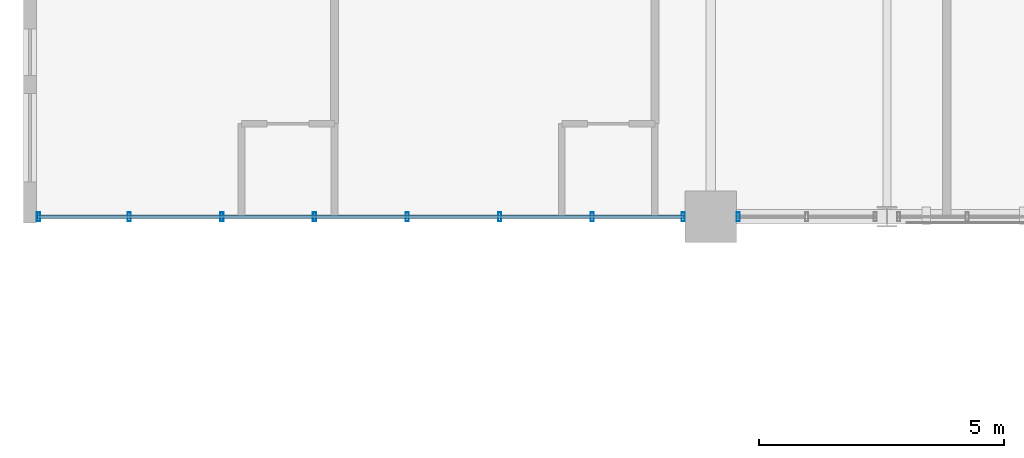
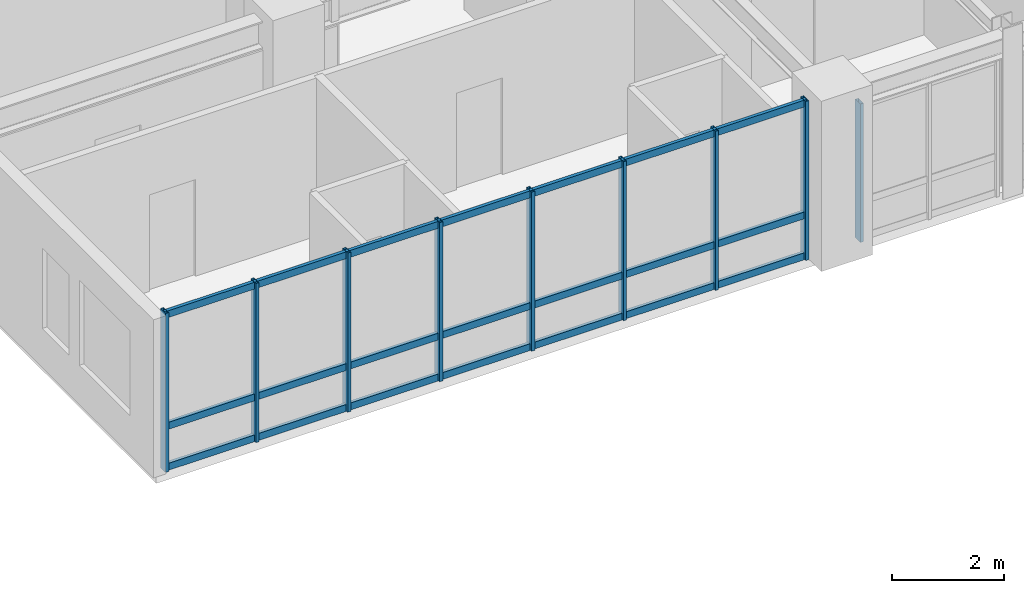
# One storey, part 3 of 17: 12 members, 2 elements without a shape of their own.
"""IFC4 building model written with IfcOpenShell, lengths in metres."""

from ifc_helpers import new_model, si_unit, direction, frame, origin, origin_2d, place, context, subcontext, project, spatial, hollow_rectangle, extrude, source, transform, mapped, material, layer, layer_set, material_profile, profile_set, type_object, element, aggregate, save


model = new_model("IFC4")

# Units and contexts
model_context = context("Model", 3, precision=1e-05, world=origin(), true_north=direction((0.0, 1.0)))
body_context = subcontext(model_context, "Body", "Model", "MODEL_VIEW")
ifc_project = project(units=[si_unit("LENGTHUNIT", "METRE"), si_unit("AREAUNIT", "SQUARE_METRE"), si_unit("VOLUMEUNIT", "CUBIC_METRE"), si_unit("PLANEANGLEUNIT", "RADIAN"), si_unit("MASSUNIT", "GRAM", prefix="KILO")], contexts=[model_context])

# Site, building, storey
site_placement = place(None, origin())
site = spatial("IfcSite", under=ifc_project, at=site_placement, CompositionType="ELEMENT")
building_placement = place(site_placement, origin())
building = spatial("IfcBuilding", under=site, at=building_placement, Name="Kaliganga Portal Commons", CompositionType="ELEMENT")
storey_placement = place(building_placement, frame((0.0, 0.0, 143.89990234375)))
storey = spatial("IfcBuildingStorey", under=building, at=storey_placement, Name="L36", CompositionType="ELEMENT", Elevation=143.89990234375)

# Curtain wall, member
ifc_material_1 = material(Name="Anodized Aluminium and Laminated Low-E Glass", Category="aluminium")
ifc_layer = layer(ifc_material_1, 0.2099609375)
ifc_layer_set = layer_set([ifc_layer], Name="Anodized Aluminium and Laminated Low-E Glass")
curtain_wall_type = type_object("IfcCurtainWallType", Name="CW-SYS-03", PredefinedType="NOTDEFINED", material=ifc_layer_set)
curtain_wall_1_placement = place(storey_placement, origin())
curtain_wall_1 = element("IfcCurtainWall", 1, at=curtain_wall_1_placement, inside=storey, type_object=curtain_wall_type, Name="CW 03 L36 P1E04S2", PredefinedType="NOTDEFINED")
ifc_material_2 = material(Name="Dark Bronze Anodized Aluminium", Category="aluminium")
ifc_material_profile_1 = material_profile(ifc_material_2, hollow_rectangle(XDim=0.06494140625, YDim=0.179931640625, WallThickness=0.00390625, at=origin_2d()), Name="ALU MULL 65x180x4")
ifc_profile_set_1 = profile_set([ifc_material_profile_1], Name="Dark Bronze Anodized Aluminium")
member_type_1 = type_object("IfcMemberType", Name="CW-MUL-180", PredefinedType="MULLION", material=ifc_profile_set_1)
shared_shape_1 = source(origin(), body_context, "Body", "SweptSolid", [
    extrude(hollow_rectangle(XDim=0.06494140625, YDim=0.179931640625, WallThickness=0.00390625, at=origin_2d()), origin(), (0.0, 0.0, 1.0), 3.010009765625),
])
member_1_placement = place(storey_placement, frame((14.9609375, 21.60009765625, 0.0), z_axis=(0.0, 0.0, 1.0), x_axis=(1.0, 0.0, 0.0)))
member_1 = element("IfcMember", 2, at=member_1_placement, type_object=member_type_1, Name="CW:03:L36:P1E04S2 Mullion 00", PredefinedType="MULLION", context=body_context, shape_type="MappedRepresentation", body=[
    mapped(shared_shape_1, transform((0.0, 0.0, 0.0), x_axis=(1.0, 0.0, 0.0), y_axis=(0.0, 1.0, 0.0), z_axis=(0.0, 0.0, 1.0), scale=1.0)),
])
aggregate(curtain_wall_1, [member_1])

# Curtain wall, members
curtain_wall_2_placement = place(storey_placement, origin())
curtain_wall_2 = element("IfcCurtainWall", 3, at=curtain_wall_2_placement, inside=storey, type_object=curtain_wall_type, Name="CW 03 L36 P1E04S1", PredefinedType="NOTDEFINED")
shared_shape_2 = source(origin(), body_context, "Body", "SweptSolid", [
    extrude(hollow_rectangle(XDim=0.06494140625, YDim=0.179931640625, WallThickness=0.00390625, at=origin_2d()), origin(), (0.0, 0.0, 1.0), 3.460205078125),
])
member_2_placement = place(storey_placement, frame((0.675048828125, 21.60009765625, 0.0), z_axis=(0.0, 0.0, 1.0), x_axis=(1.0, 0.0, 0.0)))
member_2 = element("IfcMember", 4, at=member_2_placement, type_object=member_type_1, Name="CW:03:L36:P1E04S1 Mullion 00", PredefinedType="MULLION", context=body_context, shape_type="MappedRepresentation", body=[
    mapped(shared_shape_2, transform((0.0, 0.0, 0.0), x_axis=(1.0, 0.0, 0.0), y_axis=(0.0, 1.0, 0.0), z_axis=(0.0, 0.0, 1.0), scale=1.0)),
])
member_3_placement = place(storey_placement, frame((2.530517578125, 21.60009765625, 0.0), z_axis=(0.0, 0.0, 1.0), x_axis=(1.0, 0.0, 0.0)))
member_3 = element("IfcMember", 5, at=member_3_placement, type_object=member_type_1, Name="CW:03:L36:P1E04S1 Mullion 01", PredefinedType="MULLION", context=body_context, shape_type="MappedRepresentation", body=[
    mapped(shared_shape_2, transform((0.0, 0.0, 0.0), x_axis=(1.0, 0.0, 0.0), y_axis=(0.0, 1.0, 0.0), z_axis=(0.0, 0.0, 1.0), scale=1.0)),
])
member_4_placement = place(storey_placement, frame((4.421142578125, 21.60009765625, 0.0), z_axis=(0.0, 0.0, 1.0), x_axis=(1.0, 0.0, 0.0)))
member_4 = element("IfcMember", 6, at=member_4_placement, type_object=member_type_1, Name="CW:03:L36:P1E04S1 Mullion 02", PredefinedType="MULLION", context=body_context, shape_type="MappedRepresentation", body=[
    mapped(shared_shape_2, transform((0.0, 0.0, 0.0), x_axis=(1.0, 0.0, 0.0), y_axis=(0.0, 1.0, 0.0), z_axis=(0.0, 0.0, 1.0), scale=1.0)),
])
member_5_placement = place(storey_placement, frame((6.311767578125, 21.60009765625, 0.0), z_axis=(0.0, 0.0, 1.0), x_axis=(1.0, 0.0, 0.0)))
member_5 = element("IfcMember", 7, at=member_5_placement, type_object=member_type_1, Name="CW:03:L36:P1E04S1 Mullion 03", PredefinedType="MULLION", context=body_context, shape_type="MappedRepresentation", body=[
    mapped(shared_shape_2, transform((0.0, 0.0, 0.0), x_axis=(1.0, 0.0, 0.0), y_axis=(0.0, 1.0, 0.0), z_axis=(0.0, 0.0, 1.0), scale=1.0)),
])
member_6_placement = place(storey_placement, frame((8.202392578125, 21.60009765625, 0.0), z_axis=(0.0, 0.0, 1.0), x_axis=(1.0, 0.0, 0.0)))
member_6 = element("IfcMember", 8, at=member_6_placement, type_object=member_type_1, Name="CW:03:L36:P1E04S1 Mullion 04", PredefinedType="MULLION", context=body_context, shape_type="MappedRepresentation", body=[
    mapped(shared_shape_2, transform((0.0, 0.0, 0.0), x_axis=(1.0, 0.0, 0.0), y_axis=(0.0, 1.0, 0.0), z_axis=(0.0, 0.0, 1.0), scale=1.0)),
])
member_7_placement = place(storey_placement, frame((10.093017578125, 21.60009765625, 0.0), z_axis=(0.0, 0.0, 1.0), x_axis=(1.0, 0.0, 0.0)))
member_7 = element("IfcMember", 9, at=member_7_placement, type_object=member_type_1, Name="CW:03:L36:P1E04S1 Mullion 05", PredefinedType="MULLION", context=body_context, shape_type="MappedRepresentation", body=[
    mapped(shared_shape_2, transform((0.0, 0.0, 0.0), x_axis=(1.0, 0.0, 0.0), y_axis=(0.0, 1.0, 0.0), z_axis=(0.0, 0.0, 1.0), scale=1.0)),
])
member_8_placement = place(storey_placement, frame((11.9833984375, 21.60009765625, 0.0), z_axis=(0.0, 0.0, 1.0), x_axis=(1.0, 0.0, 0.0)))
member_8 = element("IfcMember", 10, at=member_8_placement, type_object=member_type_1, Name="CW:03:L36:P1E04S1 Mullion 06", PredefinedType="MULLION", context=body_context, shape_type="MappedRepresentation", body=[
    mapped(shared_shape_2, transform((0.0, 0.0, 0.0), x_axis=(1.0, 0.0, 0.0), y_axis=(0.0, 1.0, 0.0), z_axis=(0.0, 0.0, 1.0), scale=1.0)),
])
member_9_placement = place(storey_placement, frame((13.839111328125, 21.60009765625, 0.0), z_axis=(0.0, 0.0, 1.0), x_axis=(1.0, 0.0, 0.0)))
member_9 = element("IfcMember", 11, at=member_9_placement, type_object=member_type_1, Name="CW:03:L36:P1E04S1 Mullion 07", PredefinedType="MULLION", context=body_context, shape_type="MappedRepresentation", body=[
    mapped(shared_shape_2, transform((0.0, 0.0, 0.0), x_axis=(1.0, 0.0, 0.0), y_axis=(0.0, 1.0, 0.0), z_axis=(0.0, 0.0, 1.0), scale=1.0)),
])
ifc_material_profile_2 = material_profile(ifc_material_2, hollow_rectangle(XDim=0.070068359375, YDim=0.14990234375, WallThickness=0.00341796875, at=origin_2d()), Name="ALU TRAN 70x150x3.5")
ifc_profile_set_2 = profile_set([ifc_material_profile_2], Name="Dark Bronze Anodized Aluminium")
member_type_2 = type_object("IfcMemberType", Name="CW-TRN-150", PredefinedType="USERDEFINED", material=ifc_profile_set_2)
shared_shape_3 = source(origin(), body_context, "Body", "SweptSolid", [
    extrude(hollow_rectangle(XDim=0.070068359375, YDim=0.14990234375, WallThickness=0.00341796875, at=origin_2d()), origin(), (0.0, 0.0, 1.0), 13.194091796875),
])
member_10_placement = place(storey_placement, frame((0.659912109375, 21.60009765625, 0.06005859375), z_axis=(1.0, 0.0, 0.0), x_axis=(0.0, 1.0, 0.0)))
member_10 = element("IfcMember", 12, at=member_10_placement, type_object=member_type_2, Name="CW:03:L36:P1E04S1 Transom 1", ObjectType="TRANSOM", PredefinedType="USERDEFINED", context=body_context, shape_type="MappedRepresentation", body=[
    mapped(shared_shape_3, transform((0.0, 0.0, 0.0), x_axis=(1.0, 0.0, 0.0), y_axis=(0.0, 1.0, 0.0), z_axis=(0.0, 0.0, 1.0), scale=1.0)),
])
member_11_placement = place(storey_placement, frame((0.659912109375, 21.60009765625, 0.9501953125), z_axis=(1.0, 0.0, 0.0), x_axis=(0.0, 1.0, 0.0)))
member_11 = element("IfcMember", 13, at=member_11_placement, type_object=member_type_2, Name="CW:03:L36:P1E04S1 Transom 2", ObjectType="TRANSOM", PredefinedType="USERDEFINED", context=body_context, shape_type="MappedRepresentation", body=[
    mapped(shared_shape_3, transform((0.0, 0.0, 0.0), x_axis=(1.0, 0.0, 0.0), y_axis=(0.0, 1.0, 0.0), z_axis=(0.0, 0.0, 1.0), scale=1.0)),
])
member_12_placement = place(storey_placement, frame((0.659912109375, 21.60009765625, 3.380126953125), z_axis=(1.0, 0.0, 0.0), x_axis=(0.0, 1.0, 0.0)))
member_12 = element("IfcMember", 14, at=member_12_placement, type_object=member_type_2, Name="CW:03:L36:P1E04S1 Transom 3", ObjectType="TRANSOM", PredefinedType="USERDEFINED", context=body_context, shape_type="MappedRepresentation", body=[
    mapped(shared_shape_3, transform((0.0, 0.0, 0.0), x_axis=(1.0, 0.0, 0.0), y_axis=(0.0, 1.0, 0.0), z_axis=(0.0, 0.0, 1.0), scale=1.0)),
])
aggregate(curtain_wall_2, [member_2, member_3, member_4, member_5, member_6, member_7, member_8, member_9, member_10, member_11, member_12])

save(model, "model.ifc")
